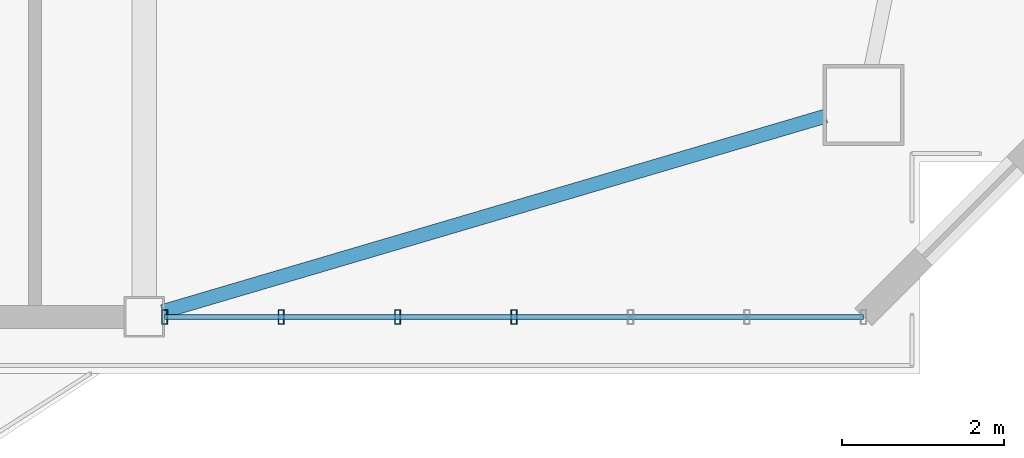
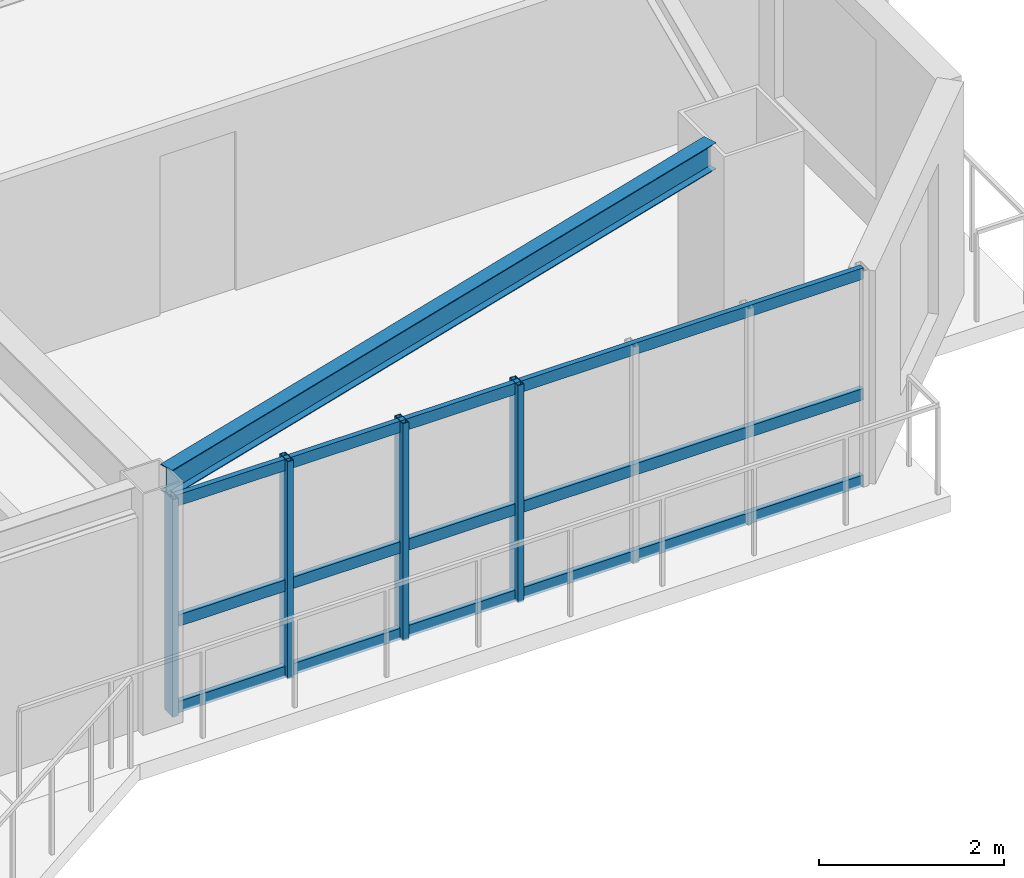
# One storey, part 4 of 17: 7 members, 1 beam, 1 element without a shape of its own.
"""IFC4 building model written with IfcOpenShell, lengths in metres."""

from ifc_helpers import new_model, si_unit, direction, frame, origin, origin_2d, place, context, subcontext, project, spatial, hollow_rectangle, i_section, extrude, source, transform, mapped, material, layer, layer_set, material_profile, profile_set, type_object, element, aggregate, save


model = new_model("IFC4")

# Units and contexts
model_context = context("Model", 3, precision=1e-05, world=origin(), true_north=direction((0.0, 1.0)))
body_context = subcontext(model_context, "Body", "Model", "MODEL_VIEW")
ifc_project = project(units=[si_unit("LENGTHUNIT", "METRE"), si_unit("AREAUNIT", "SQUARE_METRE"), si_unit("VOLUMEUNIT", "CUBIC_METRE"), si_unit("PLANEANGLEUNIT", "RADIAN"), si_unit("MASSUNIT", "GRAM", prefix="KILO")], contexts=[model_context])

# Site, building, storey
site_placement = place(None, origin())
site = spatial("IfcSite", under=ifc_project, at=site_placement, CompositionType="ELEMENT")
building_placement = place(site_placement, origin())
building = spatial("IfcBuilding", under=site, at=building_placement, Name="Giltprow Tower", CompositionType="ELEMENT")
storey_placement = place(building_placement, frame((0.0, 0.0, 248.5)))
storey = spatial("IfcBuildingStorey", under=building, at=storey_placement, Name="L63", CompositionType="ELEMENT", Elevation=248.5)

# Beam
ifc_material_1 = material(Name="Structural steel Q355B", Category="steel")
ifc_material_profile_1 = material_profile(ifc_material_1, i_section(OverallWidth=0.175048828125, OverallDepth=0.35009765625, WebThickness=0.007080078125, FlangeThickness=0.010986328125, at=origin_2d()), Name="HN 350x175x7x11")
ifc_profile_set_1 = profile_set([ifc_material_profile_1], Name="Structural steel Q355B")
beam_type = type_object("IfcBeamType", Name="BM-SPAN-HN350", PredefinedType="SPANDREL", material=ifc_profile_set_1)
shared_shape_1 = source(origin(), body_context, "Body", "SweptSolid", [
    extrude(i_section(OverallWidth=0.175048828125, OverallDepth=0.35009765625, WebThickness=0.007080078125, FlangeThickness=0.010986328125, at=origin_2d()), origin(), (0.0, 0.0, 1.0), 8.5302734375),
])
beam_placement = place(storey_placement, frame((50.77490234375, 15.178955078125, 3.010009765625), z_axis=(0.959187572442, 0.282770579929, 0.0), x_axis=(-0.282770579929, 0.959187572442, 0.0)))
element("IfcBeam", 1, at=beam_placement, inside=storey, type_object=beam_type, Name="L63 Perimeter Spandrel Beam S4-MC_SE", PredefinedType="SPANDREL", context=body_context, shape_type="MappedRepresentation", body=[
    mapped(shared_shape_1, transform((0.0, 0.0, 0.0), x_axis=(1.0, 0.0, 0.0), y_axis=(0.0, 1.0, 0.0), z_axis=(0.0, 0.0, 1.0), scale=1.0)),
])

# Curtain wall, members
ifc_material_2 = material(Name="Anodized bronze", Category="metal")
ifc_layer = layer(ifc_material_2, 0.179931640625, Name="Anodized bronze")
ifc_layer_set = layer_set([ifc_layer], Name="Anodized bronze")
curtain_wall_type = type_object("IfcCurtainWallType", Name="CW-RES-SKY", PredefinedType="NOTDEFINED", material=ifc_layer_set)
curtain_wall_placement = place(storey_placement, origin())
curtain_wall = element("IfcCurtainWall", 2, at=curtain_wall_placement, inside=storey, type_object=curtain_wall_type, Name="L63 South Recessed Curtain Wall 6", PredefinedType="NOTDEFINED")
ifc_material_profile_2 = material_profile(ifc_material_2, hollow_rectangle(XDim=0.074951171875, YDim=0.179931640625, WallThickness=0.008056640625, at=origin_2d()), Name="RHS 180x75x8")
ifc_profile_set_2 = profile_set([ifc_material_profile_2], Name="Anodized bronze")
member_type_1 = type_object("IfcMemberType", Name="CW-MULLION-180x75", PredefinedType="MULLION", material=ifc_profile_set_2)
shared_shape_2 = source(origin(), body_context, "Body", "SweptSolid", [
    extrude(hollow_rectangle(XDim=0.074951171875, YDim=0.179931640625, WallThickness=0.008056640625, at=origin_2d()), origin(), (0.0, 0.0, 1.0), 2.8701171875),
])
member_1_placement = place(storey_placement, frame((50.800048828125, 15.113037109375, -0.02001953125), z_axis=(0.0, 0.0, 1.0), x_axis=(1.0, 0.0, 0.0)))
member_1 = element("IfcMember", 3, at=member_1_placement, type_object=member_type_1, Name="L63 South Recessed Curtain Wall 6 Mullion 1", PredefinedType="MULLION", context=body_context, shape_type="MappedRepresentation", body=[
    mapped(shared_shape_2, transform((0.0, 0.0, 0.0), x_axis=(1.0, 0.0, 0.0), y_axis=(0.0, 1.0, 0.0), z_axis=(0.0, 0.0, 1.0), scale=1.0)),
])
member_2_placement = place(storey_placement, frame((52.237060546875, 15.113037109375, -0.02001953125), z_axis=(0.0, 0.0, 1.0), x_axis=(1.0, 0.0, 0.0)))
member_2 = element("IfcMember", 4, at=member_2_placement, type_object=member_type_1, Name="L63 South Recessed Curtain Wall 6 Mullion 2", PredefinedType="MULLION", context=body_context, shape_type="MappedRepresentation", body=[
    mapped(shared_shape_2, transform((0.0, 0.0, 0.0), x_axis=(1.0, 0.0, 0.0), y_axis=(0.0, 1.0, 0.0), z_axis=(0.0, 0.0, 1.0), scale=1.0)),
])
member_3_placement = place(storey_placement, frame((53.674072265625, 15.113037109375, -0.02001953125), z_axis=(0.0, 0.0, 1.0), x_axis=(1.0, 0.0, 0.0)))
member_3 = element("IfcMember", 5, at=member_3_placement, type_object=member_type_1, Name="L63 South Recessed Curtain Wall 6 Mullion 3", PredefinedType="MULLION", context=body_context, shape_type="MappedRepresentation", body=[
    mapped(shared_shape_2, transform((0.0, 0.0, 0.0), x_axis=(1.0, 0.0, 0.0), y_axis=(0.0, 1.0, 0.0), z_axis=(0.0, 0.0, 1.0), scale=1.0)),
])
member_4_placement = place(storey_placement, frame((55.111083984375, 15.113037109375, -0.02001953125), z_axis=(0.0, 0.0, 1.0), x_axis=(1.0, 0.0, 0.0)))
member_4 = element("IfcMember", 6, at=member_4_placement, type_object=member_type_1, Name="L63 South Recessed Curtain Wall 6 Mullion 4", PredefinedType="MULLION", context=body_context, shape_type="MappedRepresentation", body=[
    mapped(shared_shape_2, transform((0.0, 0.0, 0.0), x_axis=(1.0, 0.0, 0.0), y_axis=(0.0, 1.0, 0.0), z_axis=(0.0, 0.0, 1.0), scale=1.0)),
])
ifc_material_profile_3 = material_profile(ifc_material_2, hollow_rectangle(XDim=0.06494140625, YDim=0.14990234375, WallThickness=0.006103515625, at=origin_2d()), Name="RHS 150x65x6")
ifc_profile_set_3 = profile_set([ifc_material_profile_3], Name="Anodized bronze")
member_type_2 = type_object("IfcMemberType", Name="CW-TRANSOM-150x65", PredefinedType="USERDEFINED", material=ifc_profile_set_3)
shared_shape_3 = source(origin(), body_context, "Body", "SweptSolid", [
    extrude(hollow_rectangle(XDim=0.06494140625, YDim=0.14990234375, WallThickness=0.006103515625, at=origin_2d()), origin(), (0.0, 0.0, 1.0), 8.6220703125),
])
member_5_placement = place(storey_placement, frame((50.800048828125, 15.113037109375, 0.0400390625), z_axis=(1.0, 0.0, 0.0), x_axis=(0.0, 1.0, 0.0)))
member_5 = element("IfcMember", 7, at=member_5_placement, type_object=member_type_2, Name="L63 South Recessed Curtain Wall 6 Transom 1", ObjectType="TRANSOM", PredefinedType="USERDEFINED", context=body_context, shape_type="MappedRepresentation", body=[
    mapped(shared_shape_3, transform((0.0, 0.0, 0.0), x_axis=(1.0, 0.0, 0.0), y_axis=(0.0, 1.0, 0.0), z_axis=(0.0, 0.0, 1.0), scale=1.0)),
])
member_6_placement = place(storey_placement, frame((50.800048828125, 15.113037109375, 1.181884765625), z_axis=(1.0, 0.0, 0.0), x_axis=(0.0, 1.0, 0.0)))
member_6 = element("IfcMember", 8, at=member_6_placement, type_object=member_type_2, Name="L63 South Recessed Curtain Wall 6 Transom 2", ObjectType="TRANSOM", PredefinedType="USERDEFINED", context=body_context, shape_type="MappedRepresentation", body=[
    mapped(shared_shape_3, transform((0.0, 0.0, 0.0), x_axis=(1.0, 0.0, 0.0), y_axis=(0.0, 1.0, 0.0), z_axis=(0.0, 0.0, 1.0), scale=1.0)),
])
member_7_placement = place(storey_placement, frame((50.800048828125, 15.113037109375, 2.77490234375), z_axis=(1.0, 0.0, 0.0), x_axis=(0.0, 1.0, 0.0)))
member_7 = element("IfcMember", 9, at=member_7_placement, type_object=member_type_2, Name="L63 South Recessed Curtain Wall 6 Transom 3", ObjectType="TRANSOM", PredefinedType="USERDEFINED", context=body_context, shape_type="MappedRepresentation", body=[
    mapped(shared_shape_3, transform((0.0, 0.0, 0.0), x_axis=(1.0, 0.0, 0.0), y_axis=(0.0, 1.0, 0.0), z_axis=(0.0, 0.0, 1.0), scale=1.0)),
])
aggregate(curtain_wall, [member_1, member_2, member_3, member_4, member_5, member_6, member_7])

save(model, "model.ifc")
